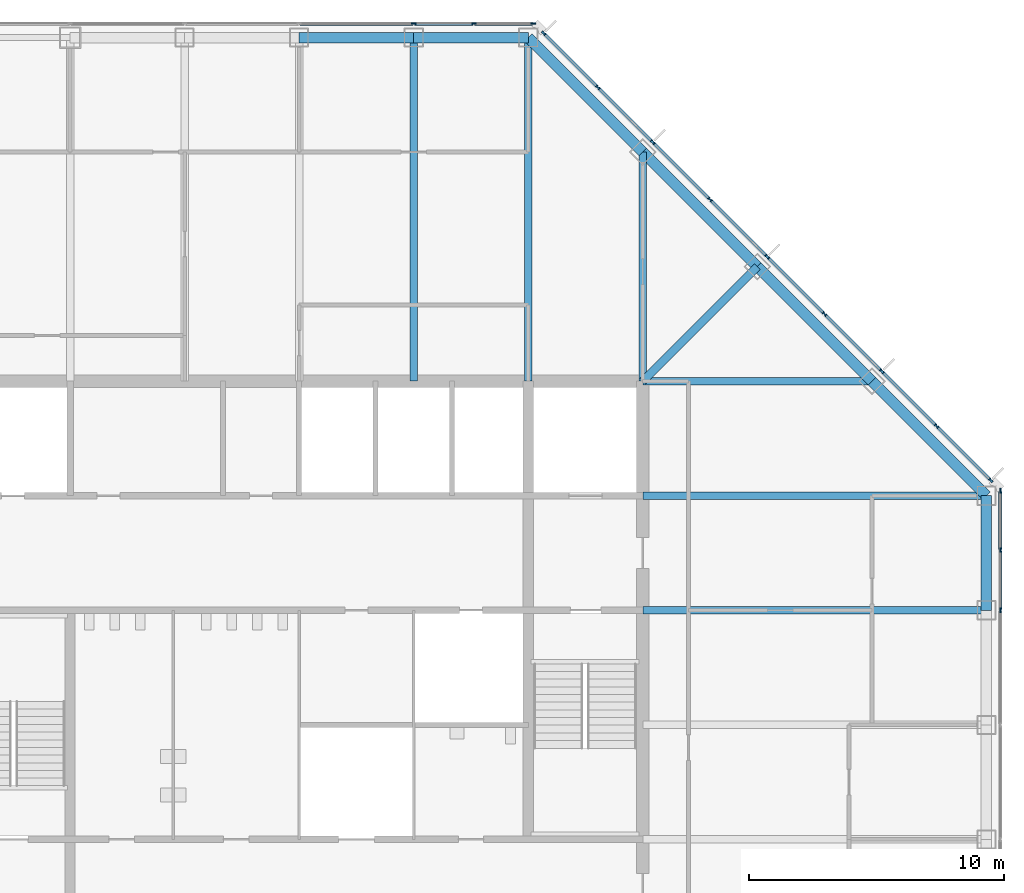
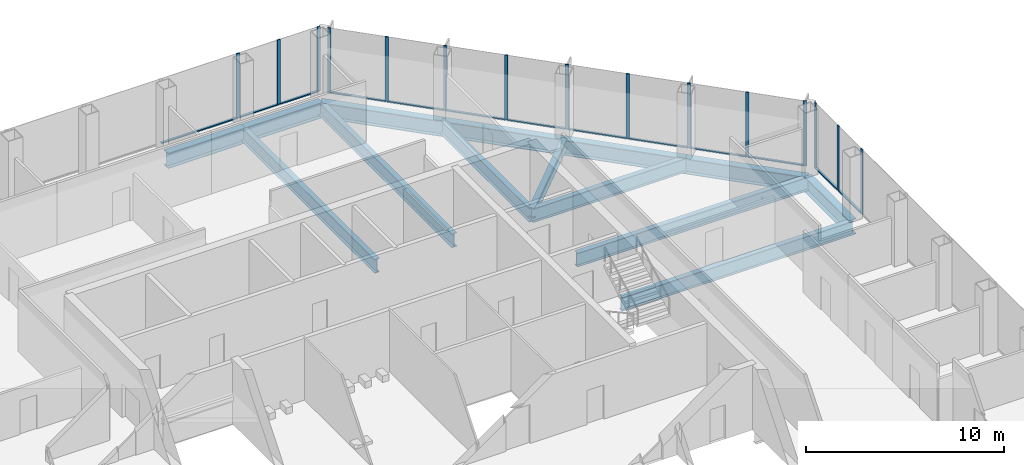
# One storey, part 6 of 13: 28 members, 14 beams, 3 elements without a shape of their own.
"""IFC4 building model written with IfcOpenShell, lengths in metres."""

from ifc_helpers import new_model, si_unit, direction, frame, origin, origin_2d, place, context, subcontext, project, spatial, rectangle, i_section, extrude, material, material_profile, profile_set, type_object, element, aggregate, save


model = new_model("IFC4")

# Units and contexts
model_context = context("Model", 3, precision=1e-05, world=origin(), true_north=direction((0.0, 1.0)))
body_context = subcontext(model_context, "Body", "Model", "MODEL_VIEW")
ifc_project = project(units=[si_unit("LENGTHUNIT", "METRE"), si_unit("AREAUNIT", "SQUARE_METRE"), si_unit("VOLUMEUNIT", "CUBIC_METRE"), si_unit("PLANEANGLEUNIT", "RADIAN"), si_unit("MASSUNIT", "GRAM", prefix="KILO")], contexts=[model_context])

# Site, building, storey
site_placement = place(None, origin())
site = spatial("IfcSite", under=ifc_project, at=site_placement, CompositionType="ELEMENT")
building_placement = place(site_placement, origin())
building = spatial("IfcBuilding", under=site, at=building_placement, Name="Corais Broadcast Tower", CompositionType="ELEMENT")
storey_placement = place(building_placement, frame((0.0, 0.0, 195.60009765625)))
storey = spatial("IfcBuildingStorey", under=building, at=storey_placement, Name="L45", CompositionType="ELEMENT", Elevation=195.60009765625)

# Beams
ifc_material_1 = material(Name="Steel ASTM A572 Grade 50", Category="steel")
ifc_material_profile_1 = material_profile(ifc_material_1, i_section(OverallWidth=0.323974609375, OverallDepth=0.611083984375, WebThickness=0.0126953125, FlangeThickness=0.01904296875, at=origin_2d()), Name="W610x155")
ifc_profile_set_1 = profile_set([ifc_material_profile_1], Name="Steel ASTM A572 Grade 50")
beam_type_1 = type_object("IfcBeamType", Name="Corner diagonal W610x155", PredefinedType="BEAM", material=ifc_profile_set_1)
beam_1_placement = place(storey_placement, frame((45.0, 45.0, -0.465576171875), z_axis=(-0.707106781187, -0.707106781187, 0.0), x_axis=(0.707106781187, -0.707106781187, 0.0)))
element("IfcBeam", 1, at=beam_1_placement, inside=storey, type_object=beam_type_1, Name="B6 L/13 to K/12", PredefinedType="BEAM", context=body_context, shape_type="SweptSolid", body=[
    extrude(i_section(OverallWidth=0.323974609375, OverallDepth=0.611083984375, WebThickness=0.0126953125, FlangeThickness=0.01904296875, at=origin_2d()), origin(), (0.0, 0.0, 1.0), 6.364013671875),
])
ifc_material_2 = material(Name="Steel ASTM A572 Grade 50", Category="steel")
ifc_material_profile_2 = material_profile(ifc_material_2, i_section(OverallWidth=0.2939453125, OverallDepth=0.85107421875, WebThickness=0.01611328125, FlangeThickness=0.02685546875, at=origin_2d()), Name="W840x226")
ifc_profile_set_2 = profile_set([ifc_material_profile_2], Name="Steel ASTM A572 Grade 50")
beam_type_2 = type_object("IfcBeamType", Name="Floor beam W840x226", PredefinedType="BEAM", material=ifc_profile_set_2)
for number, where, z_axis, x_axis, name in (
    (2, (31.5, 54.0, -0.585693359375), (0.0, -1.0, 0.0), (1.0, 0.0, 0.0), "B1 N/10 to K/10"),
    (3, (36.0, 54.0, -0.585693359375), (0.0, -1.0, 0.0), (1.0, 0.0, 0.0), "B1 N/11 to K/11"),
):
    element("IfcBeam", number, at=place(storey_placement, frame(where, z_axis=z_axis, x_axis=x_axis)), inside=storey, type_object=beam_type_2, Name=name, PredefinedType="BEAM", context=body_context, shape_type="SweptSolid", body=[
        extrude(i_section(OverallWidth=0.2939453125, OverallDepth=0.85107421875, WebThickness=0.01611328125, FlangeThickness=0.02685546875, at=origin_2d()), origin(), (0.0, 0.0, 1.0), 13.5),
    ])
for number, where, z_axis, x_axis, name in (
    (4, (40.5, 49.5, -0.585693359375), (0.0, -1.0, 0.0), (1.0, 0.0, 0.0), "B1 M/12 to K/12"),
    (5, (49.5, 40.5, -0.585693359375), (-1.0, 0.0, 0.0), (0.0, -1.0, 0.0), "B1 K/14 to K/12"),
):
    element("IfcBeam", number, at=place(storey_placement, frame(where, z_axis=z_axis, x_axis=x_axis)), inside=storey, type_object=beam_type_2, Name=name, PredefinedType="BEAM", context=body_context, shape_type="SweptSolid", body=[
        extrude(i_section(OverallWidth=0.2939453125, OverallDepth=0.85107421875, WebThickness=0.01611328125, FlangeThickness=0.02685546875, at=origin_2d()), origin(), (0.0, 0.0, 1.0), 9.0),
    ])
for number, where, z_axis, x_axis, name in (
    (6, (54.0, 31.5, -0.585693359375), (-1.0, 0.0, 0.0), (0.0, -1.0, 0.0), "B1 H/15 to H/12"),
    (7, (54.0, 36.0, -0.585693359375), (-1.0, 0.0, 0.0), (0.0, -1.0, 0.0), "B1 J/15 to J/12"),
):
    element("IfcBeam", number, at=place(storey_placement, frame(where, z_axis=z_axis, x_axis=x_axis)), inside=storey, type_object=beam_type_2, Name=name, PredefinedType="BEAM", context=body_context, shape_type="SweptSolid", body=[
        extrude(i_section(OverallWidth=0.2939453125, OverallDepth=0.85107421875, WebThickness=0.01611328125, FlangeThickness=0.02685546875, at=origin_2d()), origin(), (0.0, 0.0, 1.0), 13.5),
    ])

# Curtain wall, members
ifc_material_3 = material(Name="Aluminium and glass", Category="aluminium")
curtain_wall_type = type_object("IfcCurtainWallType", Name="Unitised fritted curtain wall CW2", PredefinedType="NOTDEFINED", material=ifc_material_3)
curtain_wall_1_placement = place(storey_placement, origin())
curtain_wall_1 = element("IfcCurtainWall", 8, at=curtain_wall_1_placement, inside=storey, type_object=curtain_wall_type, Name="CW2 curtain wall L45 4", PredefinedType="NOTDEFINED")
ifc_material_4 = material(Name="Aluminium 6063-T6", Category="aluminium")
ifc_material_profile_3 = material_profile(ifc_material_4, rectangle(XDim=0.06494140625, YDim=0.179931640625, at=origin_2d()), Name="Mullion CW2 65x180")
ifc_profile_set_3 = profile_set([ifc_material_profile_3], Name="Aluminium 6063-T6")
member_type_1 = type_object("IfcMemberType", Name="Mullion CW2 65x180", PredefinedType="MULLION", material=ifc_profile_set_3)
member_1_placement = place(storey_placement, frame((31.5, 54.550048828125, 0.0), z_axis=(0.0, 0.0, 1.0), x_axis=(0.0, 1.0, 0.0)))
member_1 = element("IfcMember", 9, at=member_1_placement, type_object=member_type_1, Name="CW2 mullion 7", PredefinedType="MULLION", context=body_context, shape_type="SweptSolid", body=[
    extrude(rectangle(XDim=0.06494140625, YDim=0.179931640625, at=origin_2d()), origin(), (0.0, 0.0, 1.0), 4.0),
])
member_2_placement = place(storey_placement, frame((33.864013671875, 54.550048828125, 0.0), z_axis=(0.0, 0.0, 1.0), x_axis=(0.0, 1.0, 0.0)))
member_2 = element("IfcMember", 10, at=member_2_placement, type_object=member_type_1, Name="CW2 mullion 8", PredefinedType="MULLION", context=body_context, shape_type="SweptSolid", body=[
    extrude(rectangle(XDim=0.06494140625, YDim=0.179931640625, at=origin_2d()), origin(), (0.0, 0.0, 1.0), 4.0),
])
member_3_placement = place(storey_placement, frame((36.1953125, 54.550048828125, 0.0), z_axis=(0.0, 0.0, 1.0), x_axis=(0.0, 1.0, 0.0)))
member_3 = element("IfcMember", 11, at=member_3_placement, type_object=member_type_1, Name="CW2 mullion 9", PredefinedType="MULLION", context=body_context, shape_type="SweptSolid", body=[
    extrude(rectangle(XDim=0.06494140625, YDim=0.179931640625, at=origin_2d()), origin(), (0.0, 0.0, 1.0), 4.0),
])

curtain_wall_2_placement = place(storey_placement, origin())
curtain_wall_2 = element("IfcCurtainWall", 12, at=curtain_wall_2_placement, inside=storey, type_object=curtain_wall_type, Name="CW2 curtain wall L45 5", PredefinedType="NOTDEFINED")
member_4_placement = place(storey_placement, frame((36.6044921875, 54.17333984375, 0.0), z_axis=(0.0, 0.0, 1.0), x_axis=(0.707106781187, 0.707106781187, 0.0)))
member_4 = element("IfcMember", 13, at=member_4_placement, type_object=member_type_1, Name="CW2 mullion 1", PredefinedType="MULLION", context=body_context, shape_type="SweptSolid", body=[
    extrude(rectangle(XDim=0.06494140625, YDim=0.179931640625, at=origin_2d()), origin(), (0.0, 0.0, 1.0), 4.0),
])
member_5_placement = place(storey_placement, frame((38.735107421875, 52.042724609375, 0.0), z_axis=(0.0, 0.0, 1.0), x_axis=(0.707106781187, 0.707106781187, 0.0)))
member_5 = element("IfcMember", 14, at=member_5_placement, type_object=member_type_1, Name="CW2 mullion 2", PredefinedType="MULLION", context=body_context, shape_type="SweptSolid", body=[
    extrude(rectangle(XDim=0.06494140625, YDim=0.179931640625, at=origin_2d()), origin(), (0.0, 0.0, 1.0), 4.0),
])
member_6_placement = place(storey_placement, frame((40.888916015625, 49.888916015625, 0.0), z_axis=(0.0, 0.0, 1.0), x_axis=(0.707106781187, 0.707106781187, 0.0)))
member_6 = element("IfcMember", 15, at=member_6_placement, type_object=member_type_1, Name="CW2 mullion 3", PredefinedType="MULLION", context=body_context, shape_type="SweptSolid", body=[
    extrude(rectangle(XDim=0.06494140625, YDim=0.179931640625, at=origin_2d()), origin(), (0.0, 0.0, 1.0), 4.0),
])
member_7_placement = place(storey_placement, frame((43.138916015625, 47.638916015625, 0.0), z_axis=(0.0, 0.0, 1.0), x_axis=(0.707106781187, 0.707106781187, 0.0)))
member_7 = element("IfcMember", 16, at=member_7_placement, type_object=member_type_1, Name="CW2 mullion 4", PredefinedType="MULLION", context=body_context, shape_type="SweptSolid", body=[
    extrude(rectangle(XDim=0.06494140625, YDim=0.179931640625, at=origin_2d()), origin(), (0.0, 0.0, 1.0), 4.0),
])
member_8_placement = place(storey_placement, frame((45.388916015625, 45.388916015625, 0.0), z_axis=(0.0, 0.0, 1.0), x_axis=(0.707106781187, 0.707106781187, 0.0)))
member_8 = element("IfcMember", 17, at=member_8_placement, type_object=member_type_1, Name="CW2 mullion 5", PredefinedType="MULLION", context=body_context, shape_type="SweptSolid", body=[
    extrude(rectangle(XDim=0.06494140625, YDim=0.179931640625, at=origin_2d()), origin(), (0.0, 0.0, 1.0), 4.0),
])
member_9_placement = place(storey_placement, frame((47.638916015625, 43.138916015625, 0.0), z_axis=(0.0, 0.0, 1.0), x_axis=(0.707106781187, 0.707106781187, 0.0)))
member_9 = element("IfcMember", 18, at=member_9_placement, type_object=member_type_1, Name="CW2 mullion 6", PredefinedType="MULLION", context=body_context, shape_type="SweptSolid", body=[
    extrude(rectangle(XDim=0.06494140625, YDim=0.179931640625, at=origin_2d()), origin(), (0.0, 0.0, 1.0), 4.0),
])
member_10_placement = place(storey_placement, frame((49.888916015625, 40.888916015625, 0.0), z_axis=(0.0, 0.0, 1.0), x_axis=(0.707106781187, 0.707106781187, 0.0)))
member_10 = element("IfcMember", 19, at=member_10_placement, type_object=member_type_1, Name="CW2 mullion 7", PredefinedType="MULLION", context=body_context, shape_type="SweptSolid", body=[
    extrude(rectangle(XDim=0.06494140625, YDim=0.179931640625, at=origin_2d()), origin(), (0.0, 0.0, 1.0), 4.0),
])
member_11_placement = place(storey_placement, frame((52.042724609375, 38.735107421875, 0.0), z_axis=(0.0, 0.0, 1.0), x_axis=(0.707106781187, 0.707106781187, 0.0)))
member_11 = element("IfcMember", 20, at=member_11_placement, type_object=member_type_1, Name="CW2 mullion 8", PredefinedType="MULLION", context=body_context, shape_type="SweptSolid", body=[
    extrude(rectangle(XDim=0.06494140625, YDim=0.179931640625, at=origin_2d()), origin(), (0.0, 0.0, 1.0), 4.0),
])
member_12_placement = place(storey_placement, frame((54.17333984375, 36.6044921875, 0.0), z_axis=(0.0, 0.0, 1.0), x_axis=(0.707106781187, 0.707106781187, 0.0)))
member_12 = element("IfcMember", 21, at=member_12_placement, type_object=member_type_1, Name="CW2 mullion 9", PredefinedType="MULLION", context=body_context, shape_type="SweptSolid", body=[
    extrude(rectangle(XDim=0.06494140625, YDim=0.179931640625, at=origin_2d()), origin(), (0.0, 0.0, 1.0), 4.0),
])

curtain_wall_3_placement = place(storey_placement, origin())
curtain_wall_3 = element("IfcCurtainWall", 22, at=curtain_wall_3_placement, inside=storey, type_object=curtain_wall_type, Name="CW2 curtain wall L45 6", PredefinedType="NOTDEFINED")
member_13_placement = place(storey_placement, frame((54.550048828125, 36.1953125, 0.0), z_axis=(0.0, 0.0, 1.0), x_axis=(1.0, 0.0, 0.0)))
member_13 = element("IfcMember", 23, at=member_13_placement, type_object=member_type_1, Name="CW2 mullion 1", PredefinedType="MULLION", context=body_context, shape_type="SweptSolid", body=[
    extrude(rectangle(XDim=0.06494140625, YDim=0.179931640625, at=origin_2d()), origin(), (0.0, 0.0, 1.0), 4.0),
])
member_14_placement = place(storey_placement, frame((54.550048828125, 33.864013671875, 0.0), z_axis=(0.0, 0.0, 1.0), x_axis=(1.0, 0.0, 0.0)))
member_14 = element("IfcMember", 24, at=member_14_placement, type_object=member_type_1, Name="CW2 mullion 2", PredefinedType="MULLION", context=body_context, shape_type="SweptSolid", body=[
    extrude(rectangle(XDim=0.06494140625, YDim=0.179931640625, at=origin_2d()), origin(), (0.0, 0.0, 1.0), 4.0),
])
member_15_placement = place(storey_placement, frame((54.550048828125, 31.5, 0.0), z_axis=(0.0, 0.0, 1.0), x_axis=(1.0, 0.0, 0.0)))
member_15 = element("IfcMember", 25, at=member_15_placement, type_object=member_type_1, Name="CW2 mullion 3", PredefinedType="MULLION", context=body_context, shape_type="SweptSolid", body=[
    extrude(rectangle(XDim=0.06494140625, YDim=0.179931640625, at=origin_2d()), origin(), (0.0, 0.0, 1.0), 4.0),
])

# Beams
ifc_material_5 = material(Name="Steel ASTM A572 Grade 50", Category="steel")
ifc_material_profile_4 = material_profile(ifc_material_5, i_section(OverallWidth=0.4189453125, OverallDepth=0.94189453125, WebThickness=0.022216796875, FlangeThickness=0.03662109375, at=origin_2d()), Name="W920x345")
ifc_profile_set_4 = profile_set([ifc_material_profile_4], Name="Steel ASTM A572 Grade 50")
beam_type_3 = type_object("IfcBeamType", Name="Transfer spandrel W920x345", PredefinedType="BEAM", material=ifc_profile_set_4)
for number, where, z_axis, x_axis, name in (
    (26, (31.5, 54.0, -0.631103515625), (-1.0, 0.0, 0.0), (0.0, -1.0, 0.0), "SB4 N/10 to N/9"),
    (27, (36.0, 54.0, -0.631103515625), (-1.0, 0.0, 0.0), (0.0, -1.0, 0.0), "SB4 N/11 to N/10"),
):
    element("IfcBeam", number, at=place(storey_placement, frame(where, z_axis=z_axis, x_axis=x_axis)), inside=storey, type_object=beam_type_3, Name=name, PredefinedType="BEAM", context=body_context, shape_type="SweptSolid", body=[
        extrude(i_section(OverallWidth=0.4189453125, OverallDepth=0.94189453125, WebThickness=0.022216796875, FlangeThickness=0.03662109375, at=origin_2d()), origin(), (0.0, 0.0, 1.0), 4.5),
    ])
for number, where, z_axis, x_axis, name in (
    (28, (40.5, 49.5, -0.631103515625), (-0.707106781187, 0.707106781187, 0.0), (-0.707106781187, -0.707106781187, 0.0), "SB4 M/12 to N/11"),
    (29, (45.0, 45.0, -0.631103515625), (-0.707106781187, 0.707106781187, 0.0), (-0.707106781187, -0.707106781187, 0.0), "SB4 L/13 to M/12"),
    (30, (49.5, 40.5, -0.631103515625), (-0.707106781187, 0.707106781187, 0.0), (-0.707106781187, -0.707106781187, 0.0), "SB4 K/14 to L/13"),
):
    element("IfcBeam", number, at=place(storey_placement, frame(where, z_axis=z_axis, x_axis=x_axis)), inside=storey, type_object=beam_type_3, Name=name, PredefinedType="BEAM", context=body_context, shape_type="SweptSolid", body=[
        extrude(i_section(OverallWidth=0.4189453125, OverallDepth=0.94189453125, WebThickness=0.022216796875, FlangeThickness=0.03662109375, at=origin_2d()), origin(), (0.0, 0.0, 1.0), 6.364013671875),
    ])
beam_2_placement = place(storey_placement, frame((54.0, 31.5, -0.631103515625), z_axis=(0.0, 1.0, 0.0), x_axis=(-1.0, 0.0, 0.0)))
element("IfcBeam", 31, at=beam_2_placement, inside=storey, type_object=beam_type_3, Name="SB4 H/15 to J/15", PredefinedType="BEAM", context=body_context, shape_type="SweptSolid", body=[
    extrude(i_section(OverallWidth=0.4189453125, OverallDepth=0.94189453125, WebThickness=0.022216796875, FlangeThickness=0.03662109375, at=origin_2d()), origin(), (0.0, 0.0, 1.0), 4.5),
])
beam_3_placement = place(storey_placement, frame((54.0, 36.0, -0.631103515625), z_axis=(-0.707106781187, 0.707106781187, 0.0), x_axis=(-0.707106781187, -0.707106781187, 0.0)))
element("IfcBeam", 32, at=beam_3_placement, inside=storey, type_object=beam_type_3, Name="SB4 J/15 to K/14", PredefinedType="BEAM", context=body_context, shape_type="SweptSolid", body=[
    extrude(i_section(OverallWidth=0.4189453125, OverallDepth=0.94189453125, WebThickness=0.022216796875, FlangeThickness=0.03662109375, at=origin_2d()), origin(), (0.0, 0.0, 1.0), 6.364013671875),
])

# Member
ifc_material_6 = material(Name="Aluminium 6063-T6", Category="aluminium")
ifc_material_profile_5 = material_profile(ifc_material_6, rectangle(XDim=0.1298828125, YDim=0.06494140625, at=origin_2d()), Name="Transom CW2 65x130")
ifc_profile_set_5 = profile_set([ifc_material_profile_5], Name="Aluminium 6063-T6")
member_type_2 = type_object("IfcMemberType", Name="Transom CW2 65x130", PredefinedType="USERDEFINED", material=ifc_profile_set_5)
member_16_placement = place(storey_placement, frame((27.032470703125, 54.550048828125, 0.032470703125), z_axis=(1.0, 0.0, 0.0), x_axis=(0.0, 1.0, 0.0)))
member_16 = element("IfcMember", 33, at=member_16_placement, type_object=member_type_2, Name="CW2 transom 6.1", ObjectType="TRANSOM", PredefinedType="USERDEFINED", context=body_context, shape_type="SweptSolid", body=[
    extrude(rectangle(XDim=0.1298828125, YDim=0.06494140625, at=origin_2d()), origin(), (0.0, 0.0, 1.0), 4.43505859375),
])

member_17_placement = place(storey_placement, frame((31.532470703125, 54.550048828125, 0.032470703125), z_axis=(1.0, 0.0, 0.0), x_axis=(0.0, 1.0, 0.0)))
member_17 = element("IfcMember", 34, at=member_17_placement, type_object=member_type_2, Name="CW2 transom 7.1", ObjectType="TRANSOM", PredefinedType="USERDEFINED", context=body_context, shape_type="SweptSolid", body=[
    extrude(rectangle(XDim=0.1298828125, YDim=0.06494140625, at=origin_2d()), origin(), (0.0, 0.0, 1.0), 2.298828125),
])

member_18_placement = place(storey_placement, frame((33.896484375, 54.550048828125, 0.032470703125), z_axis=(1.0, 0.0, 0.0), x_axis=(0.0, 1.0, 0.0)))
member_18 = element("IfcMember", 35, at=member_18_placement, type_object=member_type_2, Name="CW2 transom 8.1", ObjectType="TRANSOM", PredefinedType="USERDEFINED", context=body_context, shape_type="SweptSolid", body=[
    extrude(rectangle(XDim=0.1298828125, YDim=0.06494140625, at=origin_2d()), origin(), (0.0, 0.0, 1.0), 2.266357421875),
])

aggregate(curtain_wall_1, [member_1, member_2, member_3, member_16, member_17, member_18])

member_19_placement = place(storey_placement, frame((36.62744140625, 54.150390625, 0.032470703125), z_axis=(0.707106781187, -0.707106781187, 0.0), x_axis=(0.707106781187, 0.707106781187, 0.0)))
member_19 = element("IfcMember", 36, at=member_19_placement, type_object=member_type_2, Name="CW2 transom 1.1", ObjectType="TRANSOM", PredefinedType="USERDEFINED", context=body_context, shape_type="SweptSolid", body=[
    extrude(rectangle(XDim=0.1298828125, YDim=0.06494140625, at=origin_2d()), origin(), (0.0, 0.0, 1.0), 2.9482421875),
])

member_20_placement = place(storey_placement, frame((38.758056640625, 52.019775390625, 0.032470703125), z_axis=(0.707106781187, -0.707106781187, 0.0), x_axis=(0.707106781187, 0.707106781187, 0.0)))
member_20 = element("IfcMember", 37, at=member_20_placement, type_object=member_type_2, Name="CW2 transom 2.1", ObjectType="TRANSOM", PredefinedType="USERDEFINED", context=body_context, shape_type="SweptSolid", body=[
    extrude(rectangle(XDim=0.1298828125, YDim=0.06494140625, at=origin_2d()), origin(), (0.0, 0.0, 1.0), 2.98095703125),
])

member_21_placement = place(storey_placement, frame((40.911865234375, 49.865966796875, 0.032470703125), z_axis=(0.707106781187, -0.707106781187, 0.0), x_axis=(0.707106781187, 0.707106781187, 0.0)))
member_21 = element("IfcMember", 38, at=member_21_placement, type_object=member_type_2, Name="CW2 transom 3.1", ObjectType="TRANSOM", PredefinedType="USERDEFINED", context=body_context, shape_type="SweptSolid", body=[
    extrude(rectangle(XDim=0.1298828125, YDim=0.06494140625, at=origin_2d()), origin(), (0.0, 0.0, 1.0), 3.1171875),
])

member_22_placement = place(storey_placement, frame((43.161865234375, 47.615966796875, 0.032470703125), z_axis=(0.707106781187, -0.707106781187, 0.0), x_axis=(0.707106781187, 0.707106781187, 0.0)))
member_22 = element("IfcMember", 39, at=member_22_placement, type_object=member_type_2, Name="CW2 transom 4.1", ObjectType="TRANSOM", PredefinedType="USERDEFINED", context=body_context, shape_type="SweptSolid", body=[
    extrude(rectangle(XDim=0.1298828125, YDim=0.06494140625, at=origin_2d()), origin(), (0.0, 0.0, 1.0), 3.1171875),
])

member_23_placement = place(storey_placement, frame((45.411865234375, 45.365966796875, 0.032470703125), z_axis=(0.707106781187, -0.707106781187, 0.0), x_axis=(0.707106781187, 0.707106781187, 0.0)))
member_23 = element("IfcMember", 40, at=member_23_placement, type_object=member_type_2, Name="CW2 transom 5.1", ObjectType="TRANSOM", PredefinedType="USERDEFINED", context=body_context, shape_type="SweptSolid", body=[
    extrude(rectangle(XDim=0.1298828125, YDim=0.06494140625, at=origin_2d()), origin(), (0.0, 0.0, 1.0), 3.1171875),
])

member_24_placement = place(storey_placement, frame((47.661865234375, 43.115966796875, 0.032470703125), z_axis=(0.707106781187, -0.707106781187, 0.0), x_axis=(0.707106781187, 0.707106781187, 0.0)))
member_24 = element("IfcMember", 41, at=member_24_placement, type_object=member_type_2, Name="CW2 transom 6.1", ObjectType="TRANSOM", PredefinedType="USERDEFINED", context=body_context, shape_type="SweptSolid", body=[
    extrude(rectangle(XDim=0.1298828125, YDim=0.06494140625, at=origin_2d()), origin(), (0.0, 0.0, 1.0), 3.1171875),
])

member_25_placement = place(storey_placement, frame((49.911865234375, 40.865966796875, 0.032470703125), z_axis=(0.707065828661, -0.70714773134, 0.0), x_axis=(0.70714773134, 0.707065828661, 0.0)))
member_25 = element("IfcMember", 42, at=member_25_placement, type_object=member_type_2, Name="CW2 transom 7.1", ObjectType="TRANSOM", PredefinedType="USERDEFINED", context=body_context, shape_type="SweptSolid", body=[
    extrude(rectangle(XDim=0.1298828125, YDim=0.06494140625, at=origin_2d()), origin(), (0.0, 0.0, 1.0), 2.98095703125),
])

member_26_placement = place(storey_placement, frame((52.065673828125, 38.712158203125, 0.032470703125), z_axis=(0.707106781187, -0.707106781187, 0.0), x_axis=(0.707106781187, 0.707106781187, 0.0)))
member_26 = element("IfcMember", 43, at=member_26_placement, type_object=member_type_2, Name="CW2 transom 8.1", ObjectType="TRANSOM", PredefinedType="USERDEFINED", context=body_context, shape_type="SweptSolid", body=[
    extrude(rectangle(XDim=0.1298828125, YDim=0.06494140625, at=origin_2d()), origin(), (0.0, 0.0, 1.0), 2.9482421875),
])

aggregate(curtain_wall_2, [member_4, member_5, member_6, member_7, member_8, member_9, member_10, member_11, member_12, member_19, member_20, member_21, member_22, member_23, member_24, member_25, member_26])

member_27_placement = place(storey_placement, frame((54.550048828125, 36.162841796875, 0.032470703125), z_axis=(0.0, -1.0, 0.0), x_axis=(1.0, 0.0, 0.0)))
member_27 = element("IfcMember", 44, at=member_27_placement, type_object=member_type_2, Name="CW2 transom 1.1", ObjectType="TRANSOM", PredefinedType="USERDEFINED", context=body_context, shape_type="SweptSolid", body=[
    extrude(rectangle(XDim=0.1298828125, YDim=0.06494140625, at=origin_2d()), origin(), (0.0, 0.0, 1.0), 2.266357421875),
])

member_28_placement = place(storey_placement, frame((54.550048828125, 33.831298828125, 0.032470703125), z_axis=(0.0, -1.0, 0.0), x_axis=(1.0, 0.0, 0.0)))
member_28 = element("IfcMember", 45, at=member_28_placement, type_object=member_type_2, Name="CW2 transom 2.1", ObjectType="TRANSOM", PredefinedType="USERDEFINED", context=body_context, shape_type="SweptSolid", body=[
    extrude(rectangle(XDim=0.1298828125, YDim=0.06494140625, at=origin_2d()), origin(), (0.0, 0.0, 1.0), 2.298828125),
])

aggregate(curtain_wall_3, [member_13, member_14, member_15, member_27, member_28])

save(model, "model.ifc")
